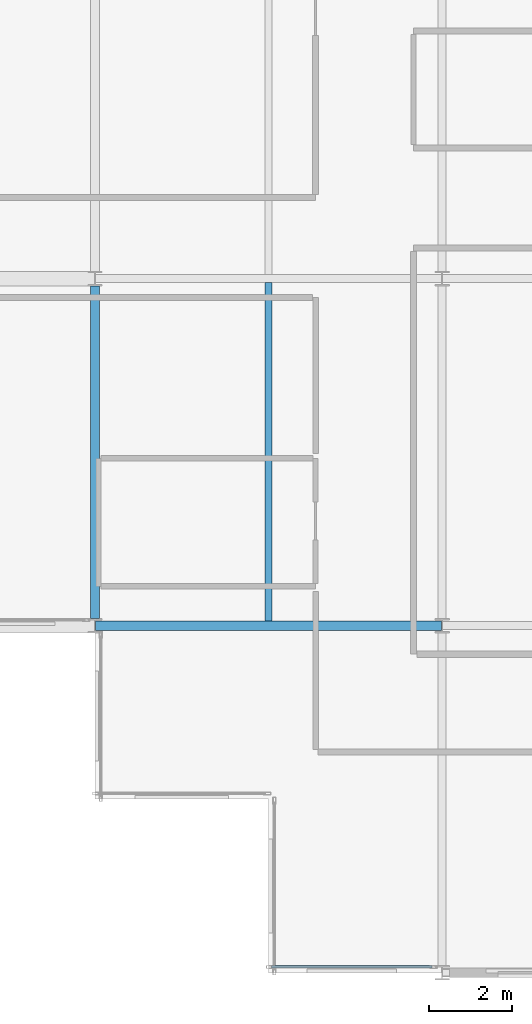
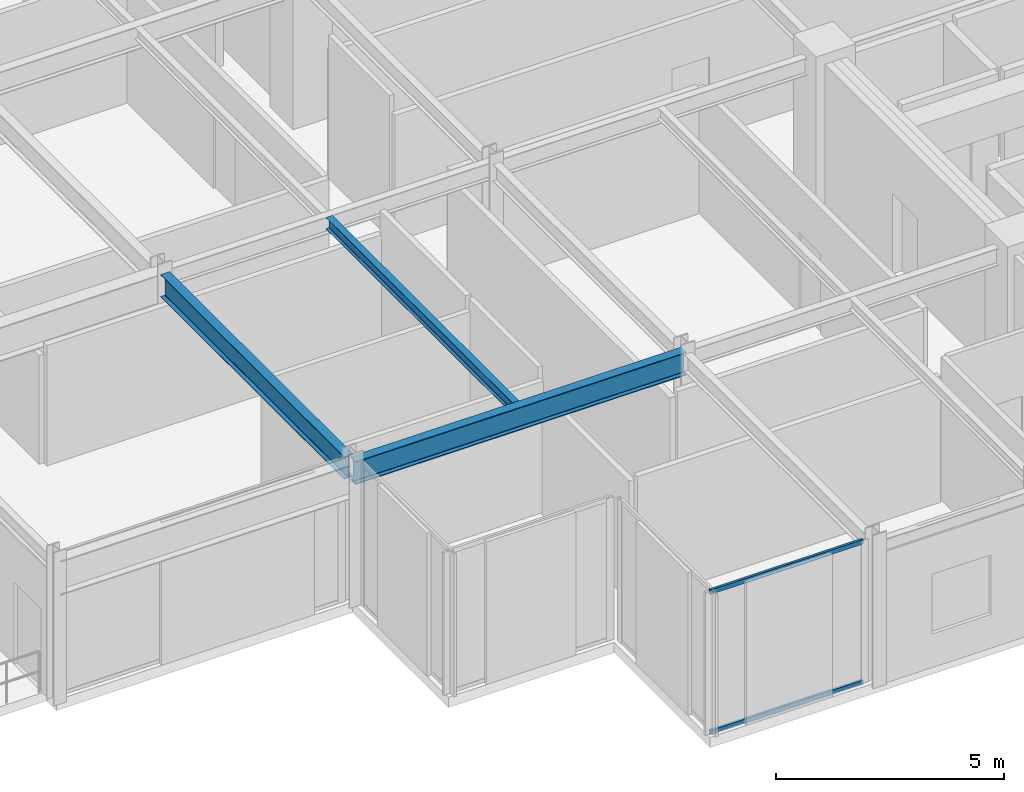
# One storey, part 5 of 29: 3 beams, 2 members, 1 element without a shape of its own.
"""IFC4 building model written with IfcOpenShell, lengths in metres."""

from ifc_helpers import new_model, si_unit, direction, frame, origin, origin_2d, place, context, subcontext, project, spatial, hollow_rectangle, i_section, extrude, material, layer, layer_set, material_profile, profile_set, type_object, element, aggregate, save


model = new_model("IFC4")

# Units and contexts
model_context = context("Model", 3, precision=1e-05, world=origin(), true_north=direction((0.0, 1.0)))
body_context = subcontext(model_context, "Body", "Model", "MODEL_VIEW")
ifc_project = project(units=[si_unit("LENGTHUNIT", "METRE"), si_unit("AREAUNIT", "SQUARE_METRE"), si_unit("VOLUMEUNIT", "CUBIC_METRE"), si_unit("PLANEANGLEUNIT", "RADIAN"), si_unit("MASSUNIT", "GRAM", prefix="KILO")], contexts=[model_context])

# Site, building, storey
site_placement = place(None, origin())
site = spatial("IfcSite", under=ifc_project, at=site_placement, CompositionType="ELEMENT")
building_placement = place(site_placement, origin())
building = spatial("IfcBuilding", under=site, at=building_placement, Name="Nerrivon Quay Data Exchange", CompositionType="ELEMENT")
storey_placement = place(building_placement, frame((0.0, 0.0, 212.39990234375)))
storey = spatial("IfcBuildingStorey", under=building, at=storey_placement, Name="L50", CompositionType="ELEMENT", Elevation=212.39990234375)

# Beams
ifc_material_1 = material(Name="Steel Grade 350", Category="steel")
ifc_material_profile_1 = material_profile(ifc_material_1, i_section(OverallWidth=0.22900390625, OverallDepth=0.612060546875, WebThickness=0.011962890625, FlangeThickness=0.01953125, FilletRadius=0.013916015625, at=origin_2d()), Name="610UB125")
ifc_profile_set_1 = profile_set([ifc_material_profile_1], Name="Steel Grade 350")
beam_type_1 = type_object("IfcBeamType", Name="BM-G1-610UB125", PredefinedType="BEAM", material=ifc_profile_set_1)
beam_1_placement = place(storey_placement, frame((0.010009765625, 8.39990234375, 3.51904296875), z_axis=(1.0, 0.0, 0.0), x_axis=(0.0, 1.0, 0.0)))
element("IfcBeam", 1, at=beam_1_placement, inside=storey, type_object=beam_type_1, Name="L50 EW Girder Y=8.4 (0.0..8.4)", PredefinedType="BEAM", context=body_context, shape_type="SweptSolid", body=[
    extrude(i_section(OverallWidth=0.22900390625, OverallDepth=0.612060546875, WebThickness=0.011962890625, FlangeThickness=0.01953125, FilletRadius=0.013916015625, at=origin_2d()), origin(), (0.0, 0.0, 1.0), 8.3798828125),
])
ifc_material_profile_2 = material_profile(ifc_material_1, i_section(OverallWidth=0.22802734375, OverallDepth=0.60205078125, WebThickness=0.010498046875, FlangeThickness=0.014892578125, FilletRadius=0.013916015625, at=origin_2d()), Name="610UB101")
ifc_profile_set_2 = profile_set([ifc_material_profile_2], Name="Steel Grade 350")
beam_type_2 = type_object("IfcBeamType", Name="BM-G2-610UB101", PredefinedType="BEAM", material=ifc_profile_set_2)
beam_2_placement = place(storey_placement, frame((0.0, 8.574951171875, 3.524169921875), z_axis=(0.0, 1.0, 0.0), x_axis=(-1.0, 0.0, 0.0)))
element("IfcBeam", 2, at=beam_2_placement, inside=storey, type_object=beam_type_2, Name="L50 NS Girder X=0.0 (8.4..16.8)", PredefinedType="BEAM", context=body_context, shape_type="SweptSolid", body=[
    extrude(i_section(OverallWidth=0.22802734375, OverallDepth=0.60205078125, WebThickness=0.010498046875, FlangeThickness=0.014892578125, FilletRadius=0.013916015625, at=origin_2d()), origin(), (0.0, 0.0, 1.0), 8.050048828125),
])
ifc_material_profile_3 = material_profile(ifc_material_1, i_section(OverallWidth=0.166015625, OverallDepth=0.306884765625, WebThickness=0.006591796875, FlangeThickness=0.01171875, FilletRadius=0.011474609375, at=origin_2d()), Name="310UB46.2")
ifc_profile_set_3 = profile_set([ifc_material_profile_3], Name="Steel Grade 350")
beam_type_3 = type_object("IfcBeamType", Name="BM-J5-310UB46", PredefinedType="JOIST", material=ifc_profile_set_3)
beam_3_placement = place(storey_placement, frame((4.199951171875, 8.514404296875, 3.671630859375), z_axis=(0.0, 1.0, 0.0), x_axis=(-1.0, 0.0, 0.0)))
element("IfcBeam", 3, at=beam_3_placement, inside=storey, type_object=beam_type_3, Name="L50 Secondary Joist X=4.2 (8.4..16.8)", PredefinedType="JOIST", context=body_context, shape_type="SweptSolid", body=[
    extrude(i_section(OverallWidth=0.166015625, OverallDepth=0.306884765625, WebThickness=0.006591796875, FlangeThickness=0.01171875, FilletRadius=0.011474609375, at=origin_2d()), origin(), (0.0, 0.0, 1.0), 8.190185546875),
])

# Curtain wall, members
ifc_material_2 = material(Name="Anodised aluminium 6063-T6", Category="aluminium")
ifc_layer = layer(ifc_material_2, 0.195068359375)
ifc_layer_set = layer_set([ifc_layer], Name="Anodised aluminium 6063-T6")
curtain_wall_type = type_object("IfcCurtainWallType", Name="CW-SYS-06", PredefinedType="NOTDEFINED", material=ifc_layer_set)
curtain_wall_placement = place(storey_placement, origin())
curtain_wall = element("IfcCurtainWall", 4, at=curtain_wall_placement, inside=storey, type_object=curtain_wall_type, Name="L50 Unitised Curtain Wall 28", PredefinedType="NOTDEFINED")
ifc_material_profile_4 = material_profile(ifc_material_2, hollow_rectangle(XDim=0.06005859375, YDim=0.1201171875, WallThickness=0.003173828125, at=origin_2d()), Name="ALU-TRAN-120x60")
ifc_profile_set_4 = profile_set([ifc_material_profile_4], Name="Anodised aluminium 6063-T6")
member_type = type_object("IfcMemberType", Name="CWT-120x60", PredefinedType="USERDEFINED", material=ifc_profile_set_4)
member_1_placement = place(storey_placement, frame((8.14990234375, 0.139892578125, 0.03271484375), z_axis=(-1.0, 0.0, 0.0), x_axis=(0.0, -1.0, 0.0)))
member_1 = element("IfcMember", 5, at=member_1_placement, type_object=member_type, Name="CW06 transom 1.1", ObjectType="TRANSOM", PredefinedType="USERDEFINED", context=body_context, shape_type="SweptSolid", body=[
    extrude(hollow_rectangle(XDim=0.06005859375, YDim=0.1201171875, WallThickness=0.003173828125, at=origin_2d()), origin(), (0.0, 0.0, 1.0), 3.875),
])
member_2_placement = place(storey_placement, frame((8.14990234375, 0.139892578125, 3.79248046875), z_axis=(-1.0, 0.0, 0.0), x_axis=(0.0, -1.0, 0.0)))
member_2 = element("IfcMember", 6, at=member_2_placement, type_object=member_type, Name="CW06 transom 1.2", ObjectType="TRANSOM", PredefinedType="USERDEFINED", context=body_context, shape_type="SweptSolid", body=[
    extrude(hollow_rectangle(XDim=0.06005859375, YDim=0.1201171875, WallThickness=0.003173828125, at=origin_2d()), origin(), (0.0, 0.0, 1.0), 3.875),
])
aggregate(curtain_wall, [member_1, member_2])

save(model, "model.ifc")
